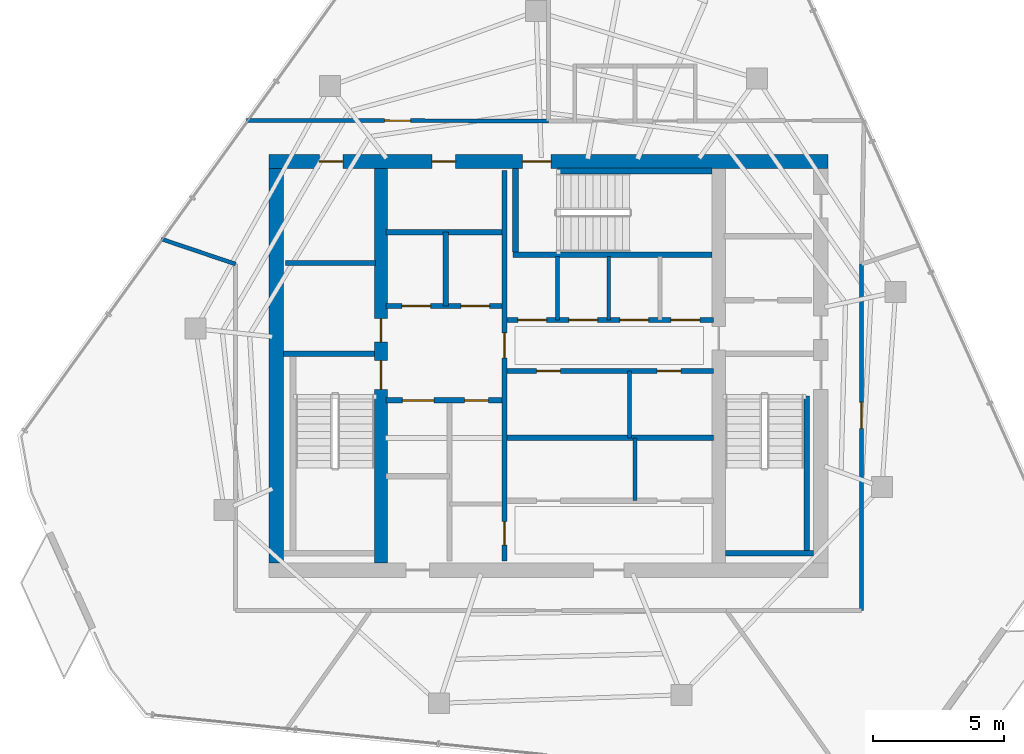
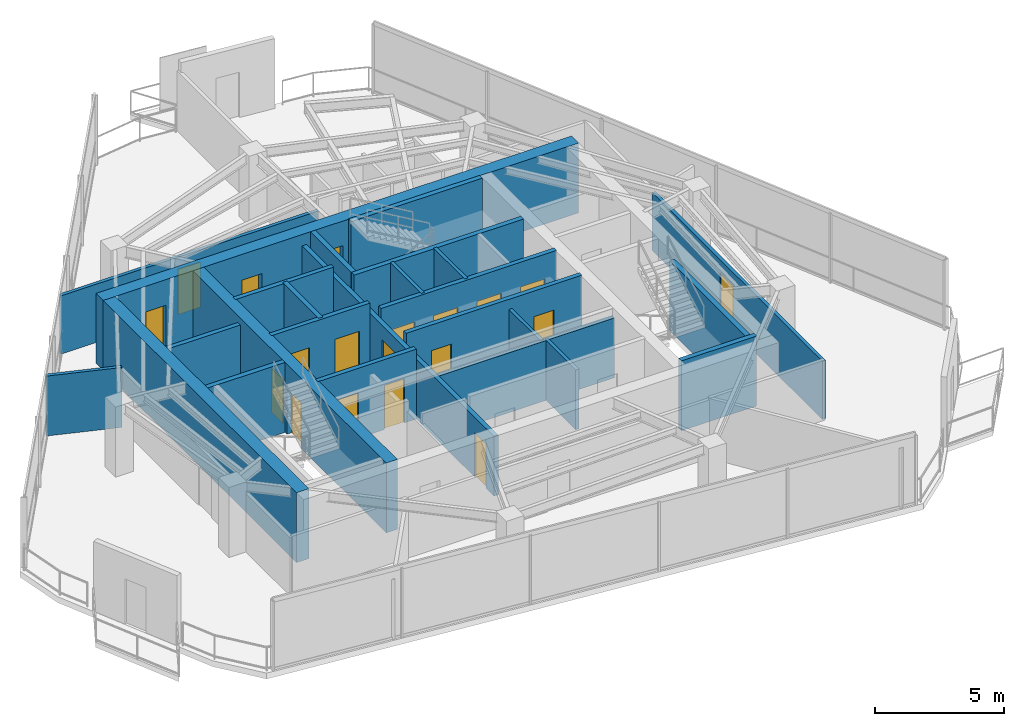
# One storey, part 15 of 18: 25 walls, 19 doors, 19 openings.
"""IFC4 building model written with IfcOpenShell, lengths in metres."""

from ifc_helpers import new_model, si_unit, direction, frame, frame_2d, origin, place, context, subcontext, project, spatial, rectangle, extrude, material, layer, layer_set, type_object, element, fill, save


model = new_model("IFC4")

# Units and contexts
model_context = context("Model", 3, precision=1e-05, world=origin(), true_north=direction((0.0, 1.0)))
body_context = subcontext(model_context, "Body", "Model", "MODEL_VIEW")
ifc_project = project(units=[si_unit("LENGTHUNIT", "METRE"), si_unit("AREAUNIT", "SQUARE_METRE"), si_unit("VOLUMEUNIT", "CUBIC_METRE"), si_unit("PLANEANGLEUNIT", "RADIAN"), si_unit("MASSUNIT", "GRAM", prefix="KILO")], contexts=[model_context])

# Site, building, storey
site_placement = place(None, origin())
site = spatial("IfcSite", under=ifc_project, at=site_placement, CompositionType="ELEMENT")
building_placement = place(site_placement, origin())
building = spatial("IfcBuilding", under=site, at=building_placement, Name="Qarnah Convention Tower", CompositionType="ELEMENT")
storey_placement = place(building_placement, frame((0.0, 0.0, 271.5)))
storey = spatial("IfcBuildingStorey", under=building, at=storey_placement, Name="L73", CompositionType="ELEMENT", Elevation=271.5)

# Wall, openings, doors
ifc_material_1 = material(Name="Concrete C60/75", Category="concrete")
ifc_layer_1 = layer(ifc_material_1, 0.550048828125)
ifc_layer_set_1 = layer_set([ifc_layer_1], Name="Concrete C60/75")
wall_type_1 = type_object("IfcWallType", Name="WL-CORE-550", PredefinedType="SHEAR", material=ifc_layer_set_1)
wall_1_placement = place(storey_placement, frame((26.52490234375, 34.199951171875, 0.0), z_axis=(0.0, 0.0, 1.0), x_axis=(1.0, 0.0, 0.0)))
wall_1 = element("IfcWall", 1, at=wall_1_placement, inside=storey, type_object=wall_type_1, Name="L73 core north shear wall", PredefinedType="SHEAR", context=body_context, shape_type="SweptSolid", body=[
    extrude(rectangle(XDim=21.35009765625, YDim=0.550048828125, at=frame_2d((10.675048828125, 0.0))), origin(), (0.0, 0.0, 1.0), 3.320068359375),
])
opening_1_placement = place(wall_1_placement, frame((9.675048828125, 0.0, 0.0)))
opening_1 = element("IfcOpeningElement", 2, at=opening_1_placement, cuts=wall_1, Name="Opening D-7303", PredefinedType="OPENING", context=body_context, shape_type="SweptSolid", body=[
    extrude(rectangle(XDim=1.10009765625, YDim=2.14990234375, at=frame_2d((0.550048828125, 1.074951171875))), frame((0.0, 0.284912109375, 0.0), z_axis=(0.0, -1.0, 0.0), x_axis=(1.0, 0.0, 0.0)), (0.0, 0.0, 1.0), 0.570068359375),
])
opening_2_placement = place(wall_1_placement, frame((1.925048828125, 0.0, 0.0)))
opening_2 = element("IfcOpeningElement", 3, at=opening_2_placement, cuts=wall_1, Name="Opening D-7309", PredefinedType="OPENING", context=body_context, shape_type="SweptSolid", body=[
    extrude(rectangle(XDim=0.89990234375, YDim=2.10009765625, at=frame_2d((0.449951171875, 1.050048828125))), frame((0.0, 0.284912109375, 0.0), z_axis=(0.0, -1.0, 0.0), x_axis=(1.0, 0.0, 0.0)), (0.0, 0.0, 1.0), 0.570068359375),
])
opening_3_placement = place(wall_1_placement, frame((6.22509765625, 0.0, 0.0)))
opening_3 = element("IfcOpeningElement", 4, at=opening_3_placement, cuts=wall_1, Name="Opening D-7310", PredefinedType="OPENING", context=body_context, shape_type="SweptSolid", body=[
    extrude(rectangle(XDim=0.89990234375, YDim=2.10009765625, at=frame_2d((0.449951171875, 1.050048828125))), frame((0.0, 0.284912109375, 0.0), z_axis=(0.0, -1.0, 0.0), x_axis=(1.0, 0.0, 0.0)), (0.0, 0.0, 1.0), 0.570068359375),
])
ifc_material_2 = material(Name="Structural steel S355JR", Category="steel")
door_type_1 = type_object("IfcDoorType", Name="DT-RISER-900", OperationType="NOTDEFINED", PredefinedType="DOOR", material=ifc_material_2)
door_1_placement = place(opening_2_placement, origin())
door_1 = element("IfcDoor", 5, at=door_1_placement, inside=storey, type_object=door_type_1, Name="Door D-7309", OperationType="SINGLE_SWING_LEFT", OverallHeight=2.10009765625, OverallWidth=0.89990234375, PredefinedType="DOOR", context=body_context, shape_type="SweptSolid", body=[
    extrude(rectangle(XDim=0.89990234375, YDim=2.10009765625, at=frame_2d((0.449951171875, 1.050048828125))), frame((0.0, 0.02490234375, 0.0), z_axis=(0.0, -1.0, 0.0), x_axis=(1.0, 0.0, 0.0)), (0.0, 0.0, 1.0), 0.050048828125),
])
fill(opening_2, door_1)
door_2_placement = place(opening_3_placement, origin())
door_2 = element("IfcDoor", 6, at=door_2_placement, inside=storey, type_object=door_type_1, Name="Door D-7310", OperationType="SINGLE_SWING_RIGHT", OverallHeight=2.10009765625, OverallWidth=0.89990234375, PredefinedType="DOOR", context=body_context, shape_type="SweptSolid", body=[
    extrude(rectangle(XDim=0.89990234375, YDim=2.10009765625, at=frame_2d((0.449951171875, 1.050048828125))), frame((0.0, 0.02490234375, 0.0), z_axis=(0.0, -1.0, 0.0), x_axis=(1.0, 0.0, 0.0)), (0.0, 0.0, 1.0), 0.050048828125),
])
fill(opening_3, door_2)
door_type_2 = type_object("IfcDoorType", Name="DT-STAIR-1100", OperationType="NOTDEFINED", PredefinedType="DOOR", material=ifc_material_2)
door_3_placement = place(opening_1_placement, origin())
door_3 = element("IfcDoor", 7, at=door_3_placement, inside=storey, type_object=door_type_2, Name="Door D-7303", OperationType="SINGLE_SWING_LEFT", OverallHeight=2.14990234375, OverallWidth=1.10009765625, PredefinedType="DOOR", context=body_context, shape_type="SweptSolid", body=[
    extrude(rectangle(XDim=1.10009765625, YDim=2.14990234375, at=frame_2d((0.550048828125, 1.074951171875))), frame((0.0, 0.02490234375, 0.0), z_axis=(0.0, -1.0, 0.0), x_axis=(1.0, 0.0, 0.0)), (0.0, 0.0, 1.0), 0.050048828125),
])
fill(opening_1, door_3)

# Wall
wall_2_placement = place(storey_placement, frame((26.800048828125, 18.875, 0.0), z_axis=(0.0, 0.0, 1.0), x_axis=(0.0, 1.0, 0.0)))
element("IfcWall", 8, at=wall_2_placement, inside=storey, type_object=wall_type_1, Name="L73 core west shear wall", PredefinedType="SHEAR", context=body_context, shape_type="SweptSolid", body=[
    extrude(rectangle(XDim=15.050048828125, YDim=0.550048828125, at=frame_2d((7.52490234375, 0.0))), origin(), (0.0, 0.0, 1.0), 3.320068359375),
])

# Wall, openings, doors
ifc_layer_2 = layer(ifc_material_1, 0.5)
ifc_layer_set_2 = layer_set([ifc_layer_2], Name="Concrete C60/75")
wall_type_2 = type_object("IfcWallType", Name="WL-CORE-INT-400", PredefinedType="SHEAR", material=ifc_layer_set_2)
wall_3_placement = place(storey_placement, frame((30.800048828125, 18.875, 0.0), z_axis=(0.0, 0.0, 1.0), x_axis=(0.0, 1.0, 0.0)))
wall_3 = element("IfcWall", 9, at=wall_3_placement, inside=storey, type_object=wall_type_2, Name="L73 core west spine shear wall", PredefinedType="SHEAR", context=body_context, shape_type="SweptSolid", body=[
    extrude(rectangle(XDim=15.050048828125, YDim=0.5, at=frame_2d((7.52490234375, 0.0))), origin(), (0.0, 0.0, 1.0), 3.320068359375),
])
opening_4_placement = place(wall_3_placement, frame((6.625, 0.0, 0.0)))
opening_4 = element("IfcOpeningElement", 10, at=opening_4_placement, cuts=wall_3, Name="Opening D-7301", PredefinedType="OPENING", context=body_context, shape_type="SweptSolid", body=[
    extrude(rectangle(XDim=1.10009765625, YDim=2.14990234375, at=frame_2d((0.550048828125, 1.074951171875))), frame((0.0, 0.260009765625, 0.0), z_axis=(0.0, -1.0, 0.0), x_axis=(1.0, 0.0, 0.0)), (0.0, 0.0, 1.0), 0.52001953125),
])
opening_5_placement = place(wall_3_placement, frame((8.425048828125, 0.0, 0.0)))
opening_5 = element("IfcOpeningElement", 11, at=opening_5_placement, cuts=wall_3, Name="Opening D-7308", PredefinedType="OPENING", context=body_context, shape_type="SweptSolid", body=[
    extrude(rectangle(XDim=0.89990234375, YDim=2.10009765625, at=frame_2d((0.449951171875, 1.050048828125))), frame((0.0, 0.260009765625, 0.0), z_axis=(0.0, -1.0, 0.0), x_axis=(1.0, 0.0, 0.0)), (0.0, 0.0, 1.0), 0.52001953125),
])
door_4_placement = place(opening_5_placement, origin())
door_4 = element("IfcDoor", 12, at=door_4_placement, inside=storey, type_object=door_type_1, Name="Door D-7308", OperationType="SINGLE_SWING_RIGHT", OverallHeight=2.10009765625, OverallWidth=0.89990234375, PredefinedType="DOOR", context=body_context, shape_type="SweptSolid", body=[
    extrude(rectangle(XDim=0.89990234375, YDim=2.10009765625, at=frame_2d((0.449951171875, 1.050048828125))), frame((0.0, 0.02490234375, 0.0), z_axis=(0.0, -1.0, 0.0), x_axis=(1.0, 0.0, 0.0)), (0.0, 0.0, 1.0), 0.050048828125),
])
fill(opening_5, door_4)
door_5_placement = place(opening_4_placement, origin())
door_5 = element("IfcDoor", 13, at=door_5_placement, inside=storey, type_object=door_type_2, Name="Door D-7301", OperationType="SINGLE_SWING_LEFT", OverallHeight=2.14990234375, OverallWidth=1.10009765625, PredefinedType="DOOR", context=body_context, shape_type="SweptSolid", body=[
    extrude(rectangle(XDim=1.10009765625, YDim=2.14990234375, at=frame_2d((0.550048828125, 1.074951171875))), frame((0.0, 0.02490234375, 0.0), z_axis=(0.0, -1.0, 0.0), x_axis=(1.0, 0.0, 0.0)), (0.0, 0.0, 1.0), 0.050048828125),
])
fill(opening_4, door_5)

# Wall
ifc_material_3 = material(Name="Concrete C45/55", Category="concrete")
ifc_layer_3 = layer(ifc_material_3, 0.199951171875)
ifc_layer_set_3 = layer_set([ifc_layer_3], Name="Concrete C45/55")
wall_type_3 = type_object("IfcWallType", Name="WL-CORE-PART-200", PredefinedType="SOLIDWALL", material=ifc_layer_set_3)
wall_4_placement = place(storey_placement, frame((27.14990234375, 30.320068359375, 0.0), z_axis=(0.0, 0.0, 1.0), x_axis=(1.0, 0.0, 0.0)))
element("IfcWall", 14, at=wall_4_placement, inside=storey, type_object=wall_type_3, Name="L73 interior wall IW-L73-ELRN", PredefinedType="SOLIDWALL", context=body_context, shape_type="SweptSolid", body=[
    extrude(rectangle(XDim=3.4501953125, YDim=0.199951171875, at=frame_2d((1.72509765625, 0.0))), origin(), (0.0, 0.0, 1.0), 2.992919921875),
])

# Wall, openings, doors
wall_5_placement = place(storey_placement, frame((35.52001953125, 18.949951171875, 0.0), z_axis=(0.0, 0.0, 1.0), x_axis=(0.0, 1.0, 0.0)))
wall_5 = element("IfcWall", 15, at=wall_5_placement, inside=storey, type_object=wall_type_3, Name="L73 interior wall IW-L73-CSP", PredefinedType="SOLIDWALL", context=body_context, shape_type="SweptSolid", body=[
    extrude(rectangle(XDim=14.900146484375, YDim=0.199951171875, at=frame_2d((7.4501953125, 0.0))), origin(), (0.0, 0.0, 1.0), 2.841064453125),
])
opening_6_placement = place(wall_5_placement, frame((7.7548828125, 0.0, 0.0)))
opening_6 = element("IfcOpeningElement", 16, at=opening_6_placement, cuts=wall_5, Name="Opening D-7304", PredefinedType="OPENING", context=body_context, shape_type="SweptSolid", body=[
    extrude(rectangle(XDim=0.949951171875, YDim=2.14990234375, at=frame_2d((0.47509765625, 1.074951171875))), frame((0.0, 0.10986328125, 0.0), z_axis=(0.0, -1.0, 0.0), x_axis=(1.0, 0.0, 0.0)), (0.0, 0.0, 1.0), 0.219970703125),
])
opening_7_placement = place(wall_5_placement, frame((0.60009765625, 0.0, 0.0)))
opening_7 = element("IfcOpeningElement", 17, at=opening_7_placement, cuts=wall_5, Name="Opening D-7314", PredefinedType="OPENING", context=body_context, shape_type="SweptSolid", body=[
    extrude(rectangle(XDim=0.89990234375, YDim=2.10009765625, at=frame_2d((0.449951171875, 1.050048828125))), frame((0.0, 0.10986328125, 0.0), z_axis=(0.0, -1.0, 0.0), x_axis=(1.0, 0.0, 0.0)), (0.0, 0.0, 1.0), 0.219970703125),
])
ifc_material_4 = material(Name="Oak timber veneer", Category="wood")
door_type_3 = type_object("IfcDoorType", Name="DT-HOTEL-950", OperationType="NOTDEFINED", PredefinedType="DOOR", material=ifc_material_4)
door_6_placement = place(opening_6_placement, origin())
door_6 = element("IfcDoor", 18, at=door_6_placement, inside=storey, type_object=door_type_3, Name="Door D-7304", OperationType="SINGLE_SWING_RIGHT", OverallHeight=2.14990234375, OverallWidth=0.949951171875, PredefinedType="DOOR", context=body_context, shape_type="SweptSolid", body=[
    extrude(rectangle(XDim=0.949951171875, YDim=2.14990234375, at=frame_2d((0.47509765625, 1.074951171875))), frame((0.0, 0.02490234375, 0.0), z_axis=(0.0, -1.0, 0.0), x_axis=(1.0, 0.0, 0.0)), (0.0, 0.0, 1.0), 0.050048828125),
])
fill(opening_6, door_6)
door_7_placement = place(opening_7_placement, origin())
door_7 = element("IfcDoor", 19, at=door_7_placement, inside=storey, type_object=door_type_1, Name="Door D-7314", OperationType="SINGLE_SWING_RIGHT", OverallHeight=2.10009765625, OverallWidth=0.89990234375, PredefinedType="DOOR", context=body_context, shape_type="SweptSolid", body=[
    extrude(rectangle(XDim=0.89990234375, YDim=2.10009765625, at=frame_2d((0.449951171875, 1.050048828125))), frame((0.0, 0.02490234375, 0.0), z_axis=(0.0, -1.0, 0.0), x_axis=(1.0, 0.0, 0.0)), (0.0, 0.0, 1.0), 0.050048828125),
])
fill(opening_7, door_7)

wall_6_placement = place(storey_placement, frame((31.0, 28.679931640625, 0.0), z_axis=(0.0, 0.0, 1.0), x_axis=(1.0, 0.0, 0.0)))
wall_6 = element("IfcWall", 20, at=wall_6_placement, inside=storey, type_object=wall_type_3, Name="L73 interior wall IW-L73-FFLS", PredefinedType="SOLIDWALL", context=body_context, shape_type="SweptSolid", body=[
    extrude(rectangle(XDim=4.419921875, YDim=0.199951171875, at=frame_2d((2.2099609375, 0.0))), origin(), (0.0, 0.0, 1.0), 3.320068359375),
])
opening_8_placement = place(wall_6_placement, frame((0.60009765625, 0.0, 0.0)))
opening_8 = element("IfcOpeningElement", 21, at=opening_8_placement, cuts=wall_6, Name="Opening LD-7301", PredefinedType="OPENING", context=body_context, shape_type="SweptSolid", body=[
    extrude(rectangle(XDim=1.10009765625, YDim=2.14990234375, at=frame_2d((0.550048828125, 1.074951171875))), frame((0.0, 0.10986328125, 0.0), z_axis=(0.0, -1.0, 0.0), x_axis=(1.0, 0.0, 0.0)), (0.0, 0.0, 1.0), 0.219970703125),
])
opening_9_placement = place(wall_6_placement, frame((2.85009765625, 0.0, 0.0)))
opening_9 = element("IfcOpeningElement", 22, at=opening_9_placement, cuts=wall_6, Name="Opening LD-7302", PredefinedType="OPENING", context=body_context, shape_type="SweptSolid", body=[
    extrude(rectangle(XDim=1.10009765625, YDim=2.14990234375, at=frame_2d((0.550048828125, 1.074951171875))), frame((0.0, 0.10986328125, 0.0), z_axis=(0.0, -1.0, 0.0), x_axis=(1.0, 0.0, 0.0)), (0.0, 0.0, 1.0), 0.219970703125),
])
door_type_4 = type_object("IfcDoorType", Name="DT-LIFT-1100", OperationType="SLIDING_TO_LEFT", PredefinedType="DOOR", material=ifc_material_2)
door_8_placement = place(opening_8_placement, origin())
door_8 = element("IfcDoor", 23, at=door_8_placement, inside=storey, type_object=door_type_4, Name="Door LD-7301", OperationType="SLIDING_TO_LEFT", OverallHeight=2.14990234375, OverallWidth=1.10009765625, PredefinedType="DOOR", context=body_context, shape_type="SweptSolid", body=[
    extrude(rectangle(XDim=1.10009765625, YDim=2.14990234375, at=frame_2d((0.550048828125, 1.074951171875))), frame((0.0, 0.02490234375, 0.0), z_axis=(0.0, -1.0, 0.0), x_axis=(1.0, 0.0, 0.0)), (0.0, 0.0, 1.0), 0.050048828125),
])
fill(opening_8, door_8)
door_9_placement = place(opening_9_placement, origin())
door_9 = element("IfcDoor", 24, at=door_9_placement, inside=storey, type_object=door_type_4, Name="Door LD-7302", OperationType="SLIDING_TO_LEFT", OverallHeight=2.14990234375, OverallWidth=1.10009765625, PredefinedType="DOOR", context=body_context, shape_type="SweptSolid", body=[
    extrude(rectangle(XDim=1.10009765625, YDim=2.14990234375, at=frame_2d((0.550048828125, 1.074951171875))), frame((0.0, 0.02490234375, 0.0), z_axis=(0.0, -1.0, 0.0), x_axis=(1.0, 0.0, 0.0)), (0.0, 0.0, 1.0), 0.050048828125),
])
fill(opening_9, door_9)

# Walls
wall_7_placement = place(storey_placement, frame((31.0, 31.5, 0.0), z_axis=(0.0, 0.0, 1.0), x_axis=(1.0, 0.0, 0.0)))
element("IfcWall", 25, at=wall_7_placement, inside=storey, type_object=wall_type_3, Name="L73 interior wall IW-L73-FFLN", PredefinedType="SOLIDWALL", context=body_context, shape_type="SweptSolid", body=[
    extrude(rectangle(XDim=4.419921875, YDim=0.199951171875, at=frame_2d((2.2099609375, 0.0))), origin(), (0.0, 0.0, 1.0), 3.320068359375),
])
wall_8_placement = place(storey_placement, frame((33.280029296875, 28.679931640625, 0.0), z_axis=(0.0, 0.0, 1.0), x_axis=(0.0, 1.0, 0.0)))
element("IfcWall", 26, at=wall_8_placement, inside=storey, type_object=wall_type_3, Name="L73 interior wall IW-L73-FFLM", PredefinedType="SOLIDWALL", context=body_context, shape_type="SweptSolid", body=[
    extrude(rectangle(XDim=2.820068359375, YDim=0.199951171875, at=frame_2d((1.41015625, 0.0))), origin(), (0.0, 0.0, 1.0), 3.320068359375),
])

# Wall, openings, doors
wall_9_placement = place(storey_placement, frame((31.0, 25.080078125, 0.0), z_axis=(0.0, 0.0, 1.0), x_axis=(1.0, 0.0, 0.0)))
wall_9 = element("IfcWall", 27, at=wall_9_placement, inside=storey, type_object=wall_type_3, Name="L73 interior wall IW-L73-FFLBS", PredefinedType="SOLIDWALL", context=body_context, shape_type="SweptSolid", body=[
    extrude(rectangle(XDim=4.419921875, YDim=0.199951171875, at=frame_2d((2.2099609375, 0.0))), origin(), (0.0, 0.0, 1.0), 3.320068359375),
])
opening_10_placement = place(wall_9_placement, frame((3.0, 0.0, 0.0)))
opening_10 = element("IfcOpeningElement", 28, at=opening_10_placement, cuts=wall_9, Name="Opening D-7315", PredefinedType="OPENING", context=body_context, shape_type="SweptSolid", body=[
    extrude(rectangle(XDim=0.89990234375, YDim=2.10009765625, at=frame_2d((0.449951171875, 1.050048828125))), frame((0.0, 0.10986328125, 0.0), z_axis=(0.0, -1.0, 0.0), x_axis=(1.0, 0.0, 0.0)), (0.0, 0.0, 1.0), 0.219970703125),
])
opening_11_placement = place(wall_9_placement, frame((0.6201171875, 0.0, 0.0)))
opening_11 = element("IfcOpeningElement", 29, at=opening_11_placement, cuts=wall_9, Name="Opening LD-7303", PredefinedType="OPENING", context=body_context, shape_type="SweptSolid", body=[
    extrude(rectangle(XDim=1.199951171875, YDim=2.14990234375, at=frame_2d((0.60009765625, 1.074951171875))), frame((0.0, 0.10986328125, 0.0), z_axis=(0.0, -1.0, 0.0), x_axis=(1.0, 0.0, 0.0)), (0.0, 0.0, 1.0), 0.219970703125),
])
door_type_5 = type_object("IfcDoorType", Name="DT-LIFT-1200", OperationType="SLIDING_TO_LEFT", PredefinedType="DOOR", material=ifc_material_2)
door_10_placement = place(opening_11_placement, origin())
door_10 = element("IfcDoor", 30, at=door_10_placement, inside=storey, type_object=door_type_5, Name="Door LD-7303", OperationType="SLIDING_TO_LEFT", OverallHeight=2.14990234375, OverallWidth=1.199951171875, PredefinedType="DOOR", context=body_context, shape_type="SweptSolid", body=[
    extrude(rectangle(XDim=1.199951171875, YDim=2.14990234375, at=frame_2d((0.60009765625, 1.074951171875))), frame((0.0, 0.02490234375, 0.0), z_axis=(0.0, -1.0, 0.0), x_axis=(1.0, 0.0, 0.0)), (0.0, 0.0, 1.0), 0.050048828125),
])
fill(opening_11, door_10)
door_11_placement = place(opening_10_placement, origin())
door_11 = element("IfcDoor", 31, at=door_11_placement, inside=storey, type_object=door_type_1, Name="Door D-7315", OperationType="SINGLE_SWING_LEFT", OverallHeight=2.10009765625, OverallWidth=0.89990234375, PredefinedType="DOOR", context=body_context, shape_type="SweptSolid", body=[
    extrude(rectangle(XDim=0.89990234375, YDim=2.10009765625, at=frame_2d((0.449951171875, 1.050048828125))), frame((0.0, 0.02490234375, 0.0), z_axis=(0.0, -1.0, 0.0), x_axis=(1.0, 0.0, 0.0)), (0.0, 0.0, 1.0), 0.050048828125),
])
fill(opening_10, door_11)

wall_10_placement = place(storey_placement, frame((35.6201171875, 28.14990234375, 0.0), z_axis=(0.0, 0.0, 1.0), x_axis=(1.0, 0.0, 0.0)))
wall_10 = element("IfcWall", 32, at=wall_10_placement, inside=storey, type_object=wall_type_3, Name="L73 interior wall IW-L73-PHS", PredefinedType="SOLIDWALL", context=body_context, shape_type="SweptSolid", body=[
    extrude(rectangle(XDim=7.8798828125, YDim=0.199951171875, at=frame_2d((3.93994140625, 0.0))), origin(), (0.0, 0.0, 1.0), 3.320068359375),
])
opening_12_placement = place(wall_10_placement, frame((0.405029296875, 0.0, 0.0)))
opening_12 = element("IfcOpeningElement", 33, at=opening_12_placement, cuts=wall_10, Name="Opening LD-7304", PredefinedType="OPENING", context=body_context, shape_type="SweptSolid", body=[
    extrude(rectangle(XDim=1.10009765625, YDim=2.14990234375, at=frame_2d((0.550048828125, 1.074951171875))), frame((0.0, 0.10986328125, 0.0), z_axis=(0.0, -1.0, 0.0), x_axis=(1.0, 0.0, 0.0)), (0.0, 0.0, 1.0), 0.219970703125),
])
opening_13_placement = place(wall_10_placement, frame((2.35498046875, 0.0, 0.0)))
opening_13 = element("IfcOpeningElement", 34, at=opening_13_placement, cuts=wall_10, Name="Opening LD-7305", PredefinedType="OPENING", context=body_context, shape_type="SweptSolid", body=[
    extrude(rectangle(XDim=1.10009765625, YDim=2.14990234375, at=frame_2d((0.550048828125, 1.074951171875))), frame((0.0, 0.10986328125, 0.0), z_axis=(0.0, -1.0, 0.0), x_axis=(1.0, 0.0, 0.0)), (0.0, 0.0, 1.0), 0.219970703125),
])
opening_14_placement = place(wall_10_placement, frame((4.304931640625, 0.0, 0.0)))
opening_14 = element("IfcOpeningElement", 35, at=opening_14_placement, cuts=wall_10, Name="Opening LD-7306", PredefinedType="OPENING", context=body_context, shape_type="SweptSolid", body=[
    extrude(rectangle(XDim=1.10009765625, YDim=2.14990234375, at=frame_2d((0.550048828125, 1.074951171875))), frame((0.0, 0.10986328125, 0.0), z_axis=(0.0, -1.0, 0.0), x_axis=(1.0, 0.0, 0.0)), (0.0, 0.0, 1.0), 0.219970703125),
])
opening_15_placement = place(wall_10_placement, frame((6.2548828125, 0.0, 0.0)))
opening_15 = element("IfcOpeningElement", 36, at=opening_15_placement, cuts=wall_10, Name="Opening LD-7307", PredefinedType="OPENING", context=body_context, shape_type="SweptSolid", body=[
    extrude(rectangle(XDim=1.10009765625, YDim=2.14990234375, at=frame_2d((0.550048828125, 1.074951171875))), frame((0.0, 0.10986328125, 0.0), z_axis=(0.0, -1.0, 0.0), x_axis=(1.0, 0.0, 0.0)), (0.0, 0.0, 1.0), 0.219970703125),
])
door_12_placement = place(opening_12_placement, origin())
door_12 = element("IfcDoor", 37, at=door_12_placement, inside=storey, type_object=door_type_4, Name="Door LD-7304", OperationType="SLIDING_TO_LEFT", OverallHeight=2.14990234375, OverallWidth=1.10009765625, PredefinedType="DOOR", context=body_context, shape_type="SweptSolid", body=[
    extrude(rectangle(XDim=1.10009765625, YDim=2.14990234375, at=frame_2d((0.550048828125, 1.074951171875))), frame((0.0, 0.02490234375, 0.0), z_axis=(0.0, -1.0, 0.0), x_axis=(1.0, 0.0, 0.0)), (0.0, 0.0, 1.0), 0.050048828125),
])
fill(opening_12, door_12)
door_13_placement = place(opening_13_placement, origin())
door_13 = element("IfcDoor", 38, at=door_13_placement, inside=storey, type_object=door_type_4, Name="Door LD-7305", OperationType="SLIDING_TO_LEFT", OverallHeight=2.14990234375, OverallWidth=1.10009765625, PredefinedType="DOOR", context=body_context, shape_type="SweptSolid", body=[
    extrude(rectangle(XDim=1.10009765625, YDim=2.14990234375, at=frame_2d((0.550048828125, 1.074951171875))), frame((0.0, 0.02490234375, 0.0), z_axis=(0.0, -1.0, 0.0), x_axis=(1.0, 0.0, 0.0)), (0.0, 0.0, 1.0), 0.050048828125),
])
fill(opening_13, door_13)
door_14_placement = place(opening_14_placement, origin())
door_14 = element("IfcDoor", 39, at=door_14_placement, inside=storey, type_object=door_type_4, Name="Door LD-7306", OperationType="SLIDING_TO_LEFT", OverallHeight=2.14990234375, OverallWidth=1.10009765625, PredefinedType="DOOR", context=body_context, shape_type="SweptSolid", body=[
    extrude(rectangle(XDim=1.10009765625, YDim=2.14990234375, at=frame_2d((0.550048828125, 1.074951171875))), frame((0.0, 0.02490234375, 0.0), z_axis=(0.0, -1.0, 0.0), x_axis=(1.0, 0.0, 0.0)), (0.0, 0.0, 1.0), 0.050048828125),
])
fill(opening_14, door_14)
door_15_placement = place(opening_15_placement, origin())
door_15 = element("IfcDoor", 40, at=door_15_placement, inside=storey, type_object=door_type_4, Name="Door LD-7307", OperationType="SLIDING_TO_LEFT", OverallHeight=2.14990234375, OverallWidth=1.10009765625, PredefinedType="DOOR", context=body_context, shape_type="SweptSolid", body=[
    extrude(rectangle(XDim=1.10009765625, YDim=2.14990234375, at=frame_2d((0.550048828125, 1.074951171875))), frame((0.0, 0.02490234375, 0.0), z_axis=(0.0, -1.0, 0.0), x_axis=(1.0, 0.0, 0.0)), (0.0, 0.0, 1.0), 0.050048828125),
])
fill(opening_15, door_15)

wall_11_placement = place(storey_placement, frame((35.6201171875, 26.199951171875, 0.0), z_axis=(0.0, 0.0, 1.0), x_axis=(1.0, 0.0, 0.0)))
wall_11 = element("IfcWall", 41, at=wall_11_placement, inside=storey, type_object=wall_type_3, Name="L73 interior wall IW-L73-PMN", PredefinedType="SOLIDWALL", context=body_context, shape_type="SweptSolid", body=[
    extrude(rectangle(XDim=7.8798828125, YDim=0.199951171875, at=frame_2d((3.93994140625, 0.0))), origin(), (0.0, 0.0, 1.0), 3.320068359375),
])
opening_16_placement = place(wall_11_placement, frame((1.1298828125, 0.0, 0.0)))
opening_16 = element("IfcOpeningElement", 42, at=opening_16_placement, cuts=wall_11, Name="Opening D-7318", PredefinedType="OPENING", context=body_context, shape_type="SweptSolid", body=[
    extrude(rectangle(XDim=0.89990234375, YDim=2.10009765625, at=frame_2d((0.449951171875, 1.050048828125))), frame((0.0, 0.10986328125, 0.0), z_axis=(0.0, -1.0, 0.0), x_axis=(1.0, 0.0, 0.0)), (0.0, 0.0, 1.0), 0.219970703125),
])
opening_17_placement = place(wall_11_placement, frame((5.72998046875, 0.0, 0.0)))
opening_17 = element("IfcOpeningElement", 43, at=opening_17_placement, cuts=wall_11, Name="Opening D-7319", PredefinedType="OPENING", context=body_context, shape_type="SweptSolid", body=[
    extrude(rectangle(XDim=0.89990234375, YDim=2.10009765625, at=frame_2d((0.449951171875, 1.050048828125))), frame((0.0, 0.10986328125, 0.0), z_axis=(0.0, -1.0, 0.0), x_axis=(1.0, 0.0, 0.0)), (0.0, 0.0, 1.0), 0.219970703125),
])
door_16_placement = place(opening_16_placement, origin())
door_16 = element("IfcDoor", 44, at=door_16_placement, inside=storey, type_object=door_type_1, Name="Door D-7318", OperationType="SINGLE_SWING_RIGHT", OverallHeight=2.10009765625, OverallWidth=0.89990234375, PredefinedType="DOOR", context=body_context, shape_type="SweptSolid", body=[
    extrude(rectangle(XDim=0.89990234375, YDim=2.10009765625, at=frame_2d((0.449951171875, 1.050048828125))), frame((0.0, 0.02490234375, 0.0), z_axis=(0.0, -1.0, 0.0), x_axis=(1.0, 0.0, 0.0)), (0.0, 0.0, 1.0), 0.050048828125),
])
fill(opening_16, door_16)
door_17_placement = place(opening_17_placement, origin())
door_17 = element("IfcDoor", 45, at=door_17_placement, inside=storey, type_object=door_type_1, Name="Door D-7319", OperationType="SINGLE_SWING_LEFT", OverallHeight=2.10009765625, OverallWidth=0.89990234375, PredefinedType="DOOR", context=body_context, shape_type="SweptSolid", body=[
    extrude(rectangle(XDim=0.89990234375, YDim=2.10009765625, at=frame_2d((0.449951171875, 1.050048828125))), frame((0.0, 0.02490234375, 0.0), z_axis=(0.0, -1.0, 0.0), x_axis=(1.0, 0.0, 0.0)), (0.0, 0.0, 1.0), 0.050048828125),
])
fill(opening_17, door_17)

# Walls
wall_12_placement = place(storey_placement, frame((35.6201171875, 23.64990234375, 0.0), z_axis=(0.0, 0.0, 1.0), x_axis=(1.0, 0.0, 0.0)))
element("IfcWall", 46, at=wall_12_placement, inside=storey, type_object=wall_type_3, Name="L73 interior wall IW-L73-PMPL", PredefinedType="SOLIDWALL", context=body_context, shape_type="SweptSolid", body=[
    extrude(rectangle(XDim=7.8798828125, YDim=0.199951171875, at=frame_2d((3.93994140625, 0.0))), origin(), (0.0, 0.0, 1.0), 2.841064453125),
])
ifc_layer_4 = layer(ifc_material_1, 0.219970703125)
ifc_layer_set_4 = layer_set([ifc_layer_4], Name="Concrete C60/75")
wall_type_4 = type_object("IfcWallType", Name="WL-CORE-STAIR-220", PredefinedType="SHEAR", material=ifc_layer_set_4)
wall_13_placement = place(storey_placement, frame((27.074951171875, 26.860107421875, 0.0), z_axis=(0.0, 0.0, 1.0), x_axis=(1.0, 0.0, 0.0)))
element("IfcWall", 47, at=wall_13_placement, inside=storey, type_object=wall_type_4, Name="L73 stair shaft shear wall SW-L73-ST1N", PredefinedType="SHEAR", context=body_context, shape_type="SweptSolid", body=[
    extrude(rectangle(XDim=3.47509765625, YDim=0.219970703125, at=frame_2d((1.737548828125, 0.0))), origin(), (0.0, 0.0, 1.0), 3.320068359375),
])
wall_14_placement = place(storey_placement, frame((47.06005859375, 19.35009765625, 0.0), z_axis=(0.0, 0.0, 1.0), x_axis=(0.0, 1.0, 0.0)))
element("IfcWall", 48, at=wall_14_placement, inside=storey, type_object=wall_type_4, Name="L73 stair shaft shear wall SW-L73-ST2E", PredefinedType="SHEAR", context=body_context, shape_type="SweptSolid", body=[
    extrude(rectangle(XDim=5.89990234375, YDim=0.219970703125, at=frame_2d((2.949951171875, 0.0))), origin(), (0.0, 0.0, 1.0), 3.320068359375),
])
wall_15_placement = place(storey_placement, frame((43.949951171875, 19.239990234375, 0.0), z_axis=(0.0, 0.0, 1.0), x_axis=(1.0, 0.0, 0.0)))
element("IfcWall", 49, at=wall_15_placement, inside=storey, type_object=wall_type_4, Name="L73 stair shaft shear wall SW-L73-ST2S", PredefinedType="SHEAR", context=body_context, shape_type="SweptSolid", body=[
    extrude(rectangle(XDim=3.375, YDim=0.219970703125, at=frame_2d((1.6875, 0.0))), origin(), (0.0, 0.0, 1.0), 3.320068359375),
])
wall_16_placement = place(storey_placement, frame((35.840087890625, 30.639892578125, 0.0), z_axis=(0.0, 0.0, 1.0), x_axis=(1.0, 0.0, 0.0)))
element("IfcWall", 50, at=wall_16_placement, inside=storey, type_object=wall_type_4, Name="L73 stair shaft shear wall SW-L73-ST3S", PredefinedType="SHEAR", context=body_context, shape_type="SweptSolid", body=[
    extrude(rectangle(XDim=7.60986328125, YDim=0.219970703125, at=frame_2d((3.804931640625, 0.0))), origin(), (0.0, 0.0, 1.0), 3.320068359375),
])
wall_17_placement = place(storey_placement, frame((35.93994140625, 30.75, 0.0), z_axis=(0.0, 0.0, 1.0), x_axis=(0.0, 1.0, 0.0)))
element("IfcWall", 51, at=wall_17_placement, inside=storey, type_object=wall_type_4, Name="L73 stair shaft shear wall SW-L73-ST3W", PredefinedType="SHEAR", context=body_context, shape_type="SweptSolid", body=[
    extrude(rectangle(XDim=3.175048828125, YDim=0.219970703125, at=frame_2d((1.58740234375, 0.0))), origin(), (0.0, 0.0, 1.0), 3.320068359375),
])
wall_18_placement = place(storey_placement, frame((37.550048828125, 33.840087890625, 0.0), z_axis=(0.0, 0.0, 1.0), x_axis=(1.0, 0.0, 0.0)))
element("IfcWall", 52, at=wall_18_placement, inside=storey, type_object=wall_type_4, Name="L73 stair shaft shear wall SW-L73-ST3N", PredefinedType="SHEAR", context=body_context, shape_type="SweptSolid", body=[
    extrude(rectangle(XDim=5.89990234375, YDim=0.219970703125, at=frame_2d((2.949951171875, 0.0))), origin(), (0.0, 0.0, 1.0), 3.320068359375),
])
ifc_material_5 = material(Name="Gypsum partition board")
ifc_layer_5 = layer(ifc_material_5, 0.14990234375)
ifc_layer_set_5 = layer_set([ifc_layer_5], Name="Gypsum partition board")
wall_type_5 = type_object("IfcWallType", Name="WL-SUITE-150", PredefinedType="PARTITIONING", material=ifc_layer_set_5)
for number, where, z_axis, x_axis, name in (
    (53, (37.550048828125, 28.14990234375, 0.0), (0.0, 0.0, 1.0), (0.0, 1.0, 0.0), "L73 interior wall IW-L73-PHD1"),
    (54, (39.5, 28.14990234375, 0.0), (0.0, 0.0, 1.0), (0.0, 1.0, 0.0), "L73 interior wall IW-L73-PHD2"),
):
    element("IfcWall", number, at=place(storey_placement, frame(where, z_axis=z_axis, x_axis=x_axis)), inside=storey, type_object=wall_type_5, Name=name, PredefinedType="PARTITIONING", context=body_context, shape_type="SweptSolid", body=[
        extrude(rectangle(XDim=2.43017578125, YDim=0.14990234375, at=frame_2d((1.215087890625, 0.0))), origin(), (0.0, 0.0, 1.0), 3.320068359375),
    ])
wall_19_placement = place(storey_placement, frame((40.300048828125, 23.64990234375, 0.0), z_axis=(0.0, 0.0, 1.0), x_axis=(0.0, 1.0, 0.0)))
element("IfcWall", 55, at=wall_19_placement, inside=storey, type_object=wall_type_5, Name="L73 interior wall IW-L73-PMFD", PredefinedType="PARTITIONING", context=body_context, shape_type="SweptSolid", body=[
    extrude(rectangle(XDim=2.550048828125, YDim=0.14990234375, at=frame_2d((1.27490234375, 0.0))), origin(), (0.0, 0.0, 1.0), 2.841064453125),
])
wall_20_placement = place(storey_placement, frame((40.5, 21.25, 0.0), z_axis=(0.0, 0.0, 1.0), x_axis=(0.0, 1.0, 0.0)))
element("IfcWall", 56, at=wall_20_placement, inside=storey, type_object=wall_type_5, Name="L73 interior wall IW-L73-PLFD", PredefinedType="PARTITIONING", context=body_context, shape_type="SweptSolid", body=[
    extrude(rectangle(XDim=2.39990234375, YDim=0.14990234375, at=frame_2d((1.199951171875, 0.0))), origin(), (0.0, 0.0, 1.0), 2.841064453125),
])

# Wall, opening, door
wall_21_placement = place(storey_placement, frame((25.674072265625, 35.77001953125, 0.0), z_axis=(0.0, 0.0, 1.0), x_axis=(0.999998491558, -0.001736917524, 0.0)))
wall_21 = element("IfcWall", 57, at=wall_21_placement, inside=storey, type_object=wall_type_5, Name="L73 interior wall IW-L73-R-13", PredefinedType="PARTITIONING", context=body_context, shape_type="SweptSolid", body=[
    extrude(rectangle(XDim=11.52587890625, YDim=0.14990234375, at=frame_2d((5.762939453125, 0.0))), origin(), (0.0, 0.0, 1.0), 2.76904296875),
])
opening_18_placement = place(wall_21_placement, frame((5.262939453125, 0.0, 0.0)))
opening_18 = element("IfcOpeningElement", 58, at=opening_18_placement, cuts=wall_21, Name="Opening D-7323", PredefinedType="OPENING", context=body_context, shape_type="SweptSolid", body=[
    extrude(rectangle(XDim=1.0, YDim=2.14990234375, at=frame_2d((0.5, 1.074951171875))), frame((0.0, 0.0849609375, 0.0), z_axis=(0.0, -1.0, 0.0), x_axis=(1.0, 0.0, 0.0)), (0.0, 0.0, 1.0), 0.169921875),
])
door_type_6 = type_object("IfcDoorType", Name="DT-OFFICE-1000", OperationType="NOTDEFINED", PredefinedType="DOOR", material=ifc_material_4)
door_18_placement = place(opening_18_placement, origin())
door_18 = element("IfcDoor", 59, at=door_18_placement, inside=storey, type_object=door_type_6, Name="Door D-7323", OperationType="SINGLE_SWING_LEFT", OverallHeight=2.14990234375, OverallWidth=1.0, PredefinedType="DOOR", context=body_context, shape_type="SweptSolid", body=[
    extrude(rectangle(XDim=1.0, YDim=2.14990234375, at=frame_2d((0.5, 1.074951171875))), frame((0.0, 0.02490234375, 0.0), z_axis=(0.0, -1.0, 0.0), x_axis=(1.0, 0.0, 0.0)), (0.0, 0.0, 1.0), 0.050048828125),
])
fill(opening_18, door_18)

# Wall
wall_22_placement = place(storey_placement, frame((25.25, 30.282958984375, 0.0), z_axis=(0.0, 0.0, 1.0), x_axis=(-0.947248680981, 0.320499510732, 0.0)))
element("IfcWall", 60, at=wall_22_placement, inside=storey, type_object=wall_type_5, Name="L73 interior wall IW-L73-R-17", PredefinedType="PARTITIONING", context=body_context, shape_type="SweptSolid", body=[
    extrude(rectangle(XDim=2.998291015625, YDim=0.14990234375, at=frame_2d((1.4990234375, 0.0))), origin(), (0.0, 0.0, 1.0), 2.844970703125),
])

# Wall, opening, door
wall_23_placement = place(storey_placement, frame((49.14990234375, 30.282958984375, 0.0), z_axis=(0.0, 0.0, 1.0), x_axis=(0.0, -1.0, 0.0)))
wall_23 = element("IfcWall", 61, at=wall_23_placement, inside=storey, type_object=wall_type_5, Name="L73 interior wall IW-L73-R-20", PredefinedType="PARTITIONING", context=body_context, shape_type="SweptSolid", body=[
    extrude(rectangle(XDim=13.23291015625, YDim=0.14990234375, at=frame_2d((6.616455078125, 0.0))), origin(), (0.0, 0.0, 1.0), 2.76904296875),
])
opening_19_placement = place(wall_23_placement, frame((5.277099609375, 0.0, 0.0)))
opening_19 = element("IfcOpeningElement", 62, at=opening_19_placement, cuts=wall_23, Name="Opening D-7326", PredefinedType="OPENING", context=body_context, shape_type="SweptSolid", body=[
    extrude(rectangle(XDim=1.0, YDim=2.14990234375, at=frame_2d((0.5, 1.074951171875))), frame((0.0, 0.0849609375, 0.0), z_axis=(0.0, -1.0, 0.0), x_axis=(1.0, 0.0, 0.0)), (0.0, 0.0, 1.0), 0.169921875),
])
door_19_placement = place(opening_19_placement, origin())
door_19 = element("IfcDoor", 63, at=door_19_placement, inside=storey, type_object=door_type_6, Name="Door D-7326", OperationType="SINGLE_SWING_RIGHT", OverallHeight=2.14990234375, OverallWidth=1.0, PredefinedType="DOOR", context=body_context, shape_type="SweptSolid", body=[
    extrude(rectangle(XDim=1.0, YDim=2.14990234375, at=frame_2d((0.5, 1.074951171875))), frame((0.0, 0.02490234375, 0.0), z_axis=(0.0, -1.0, 0.0), x_axis=(1.0, 0.0, 0.0)), (0.0, 0.0, 1.0), 0.050048828125),
])
fill(opening_19, door_19)

save(model, "model.ifc")
